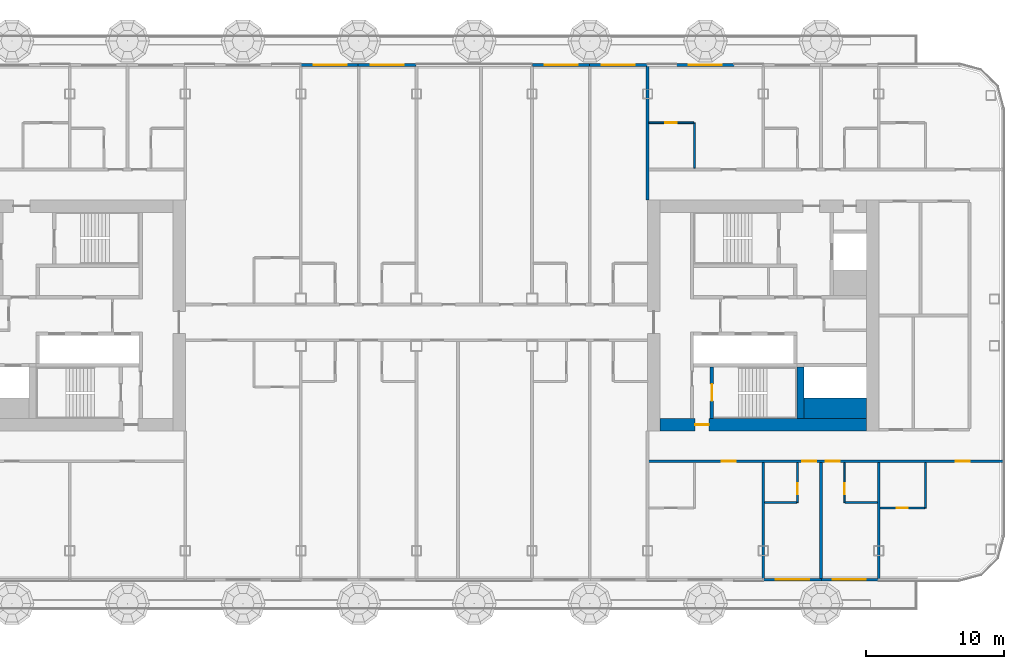
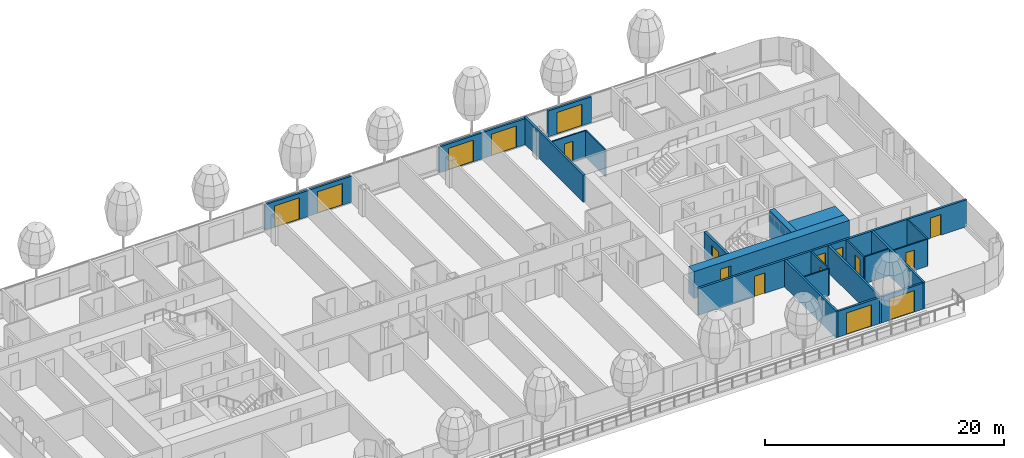
# One storey, part 14 of 30: 24 walls, 17 doors, 17 openings, 2 elements without a shape of their own.
"""IFC4 building model written with IfcOpenShell, lengths in metres."""

from ifc_helpers import new_model, si_unit, direction, frame, frame_2d, origin, place, context, subcontext, project, spatial, rectangle, extrude, material, layer, layer_set, type_object, element, fill, aggregate, save


model = new_model("IFC4")

# Units and contexts
model_context = context("Model", 3, precision=1e-05, world=origin(), true_north=direction((0.0, 1.0)))
body_context = subcontext(model_context, "Body", "Model", "MODEL_VIEW")
ifc_project = project(units=[si_unit("LENGTHUNIT", "METRE"), si_unit("AREAUNIT", "SQUARE_METRE"), si_unit("VOLUMEUNIT", "CUBIC_METRE"), si_unit("PLANEANGLEUNIT", "RADIAN"), si_unit("MASSUNIT", "GRAM", prefix="KILO")], contexts=[model_context])

# Site, building, storey
site_placement = place(None, origin())
site = spatial("IfcSite", under=ifc_project, at=site_placement, CompositionType="ELEMENT")
building_placement = place(site_placement, origin())
building = spatial("IfcBuilding", under=site, at=building_placement, Name="Hakoniwa Tower and Hamabe Station Hall", CompositionType="ELEMENT")
storey_placement = place(building_placement, frame((0.0, 0.0, 137.39990234375)))
storey = spatial("IfcBuildingStorey", under=building, at=storey_placement, Name="L38", CompositionType="ELEMENT", Elevation=137.39990234375)

# Wall, opening, door
ifc_material_1 = material(Name="Gypsum board partition", Category="gypsum")
ifc_layer_1 = layer(ifc_material_1, 0.125)
ifc_layer_set_1 = layer_set([ifc_layer_1], Name="Bathroom Partition 125")
wall_type_1 = type_object("IfcWallType", Name="Bathroom Partition 125", PredefinedType="PARTITIONING", material=ifc_layer_set_1)
wall_1_placement = place(storey_placement, frame((33.699951171875, -14.0, 0.0), z_axis=(0.0, 0.0, 1.0), x_axis=(1.0, 0.0, 0.0)))
wall_1 = element("IfcWall", 1, at=wall_1_placement, inside=storey, type_object=wall_type_1, Name="GW-L38-002", PredefinedType="PARTITIONING", context=body_context, shape_type="SweptSolid", body=[
    extrude(rectangle(XDim=3.237548828125, YDim=0.125, at=frame_2d((1.61865234375, 0.0))), origin(), (0.0, 0.0, 1.0), 2.75),
])
opening_1_placement = place(wall_1_placement, frame((1.199951171875, 0.0, 0.0)))
opening_1 = element("IfcOpeningElement", 2, at=opening_1_placement, cuts=wall_1, Name="Opening GD-G3C0-02", PredefinedType="OPENING", context=body_context, shape_type="SweptSolid", body=[
    extrude(rectangle(XDim=0.800048828125, YDim=2.10009765625, at=frame_2d((0.39990234375, 1.050048828125))), frame((0.0, 0.072509765625, 0.0), z_axis=(0.0, -1.0, 0.0), x_axis=(1.0, 0.0, 0.0)), (0.0, 0.0, 1.0), 0.14501953125),
])
ifc_material_2 = material(Name="Timber door leaf", Category="wood")
door_type_1 = type_object("IfcDoorType", Name="Bathroom Door 800", OperationType="SINGLE_SWING_LEFT", PredefinedType="DOOR", material=ifc_material_2)
door_1_placement = place(opening_1_placement, origin())
door_1 = element("IfcDoor", 3, at=door_1_placement, inside=storey, type_object=door_type_1, Name="Door GD-G3C0-02", OperationType="SINGLE_SWING_RIGHT", OverallHeight=2.10009765625, OverallWidth=0.800048828125, PredefinedType="DOOR", context=body_context, shape_type="SweptSolid", body=[
    extrude(rectangle(XDim=0.800048828125, YDim=2.10009765625, at=frame_2d((0.39990234375, 1.050048828125))), frame((0.0, 0.02490234375, 0.0), z_axis=(0.0, -1.0, 0.0), x_axis=(1.0, 0.0, 0.0)), (0.0, 0.0, 1.0), 0.050048828125),
])
fill(opening_1, door_1)

# Walls
for number, where, z_axis, x_axis, name in (
    (4, (25.300048828125, -13.60009765625, 0.0), (0.0, 0.0, 1.0), (1.0, 0.0, 0.0), "GW-L38-003"),
    (5, (31.16259765625, -13.60009765625, 0.0), (0.0, 0.0, 1.0), (1.0, 0.0, 0.0), "GW-L38-004"),
):
    element("IfcWall", number, at=place(storey_placement, frame(where, z_axis=z_axis, x_axis=x_axis)), inside=storey, type_object=wall_type_1, Name=name, PredefinedType="PARTITIONING", context=body_context, shape_type="SweptSolid", body=[
        extrude(rectangle(XDim=2.33740234375, YDim=0.125, at=frame_2d((1.168701171875, 0.0))), origin(), (0.0, 0.0, 1.0), 2.75),
    ])

# Wall, opening, door
wall_2_placement = place(storey_placement, frame((16.89990234375, 14.0, 0.0), z_axis=(0.0, 0.0, 1.0), x_axis=(1.0, 0.0, 0.0)))
wall_2 = element("IfcWall", 6, at=wall_2_placement, inside=storey, type_object=wall_type_1, Name="GW-L38-034", PredefinedType="PARTITIONING", context=body_context, shape_type="SweptSolid", body=[
    extrude(rectangle(XDim=3.237548828125, YDim=0.125, at=frame_2d((1.61865234375, 0.0))), origin(), (0.0, 0.0, 1.0), 2.75),
])
opening_2_placement = place(wall_2_placement, frame((1.199951171875, 0.0, 0.0)))
opening_2 = element("IfcOpeningElement", 7, at=opening_2_placement, cuts=wall_2, Name="Opening GD-G3C0-45", PredefinedType="OPENING", context=body_context, shape_type="SweptSolid", body=[
    extrude(rectangle(XDim=0.800048828125, YDim=2.10009765625, at=frame_2d((0.39990234375, 1.050048828125))), frame((0.0, 0.072509765625, 0.0), z_axis=(0.0, -1.0, 0.0), x_axis=(1.0, 0.0, 0.0)), (0.0, 0.0, 1.0), 0.14501953125),
])
door_2_placement = place(opening_2_placement, origin())
door_2 = element("IfcDoor", 8, at=door_2_placement, inside=storey, type_object=door_type_1, Name="Door GD-G3C0-45", OperationType="SINGLE_SWING_RIGHT", OverallHeight=2.10009765625, OverallWidth=0.800048828125, PredefinedType="DOOR", context=body_context, shape_type="SweptSolid", body=[
    extrude(rectangle(XDim=0.800048828125, YDim=2.10009765625, at=frame_2d((0.39990234375, 1.050048828125))), frame((0.0, 0.02490234375, 0.0), z_axis=(0.0, -1.0, 0.0), x_axis=(1.0, 0.0, 0.0)), (0.0, 0.0, 1.0), 0.050048828125),
])
fill(opening_2, door_2)

# Wall
wall_3_placement = place(storey_placement, frame((20.199951171875, 10.699951171875, 0.0), z_axis=(0.0, 0.0, 1.0), x_axis=(0.0, 1.0, 0.0)))
element("IfcWall", 9, at=wall_3_placement, inside=storey, type_object=wall_type_1, Name="GW-L38-078", PredefinedType="PARTITIONING", context=body_context, shape_type="SweptSolid", body=[
    extrude(rectangle(XDim=3.300048828125, YDim=0.125, at=frame_2d((1.64990234375, 0.0))), origin(), (0.0, 0.0, 1.0), 2.75),
])

# Wall, opening, door
wall_4_placement = place(storey_placement, frame((27.699951171875, -13.60009765625, 0.0), z_axis=(0.0, 0.0, 1.0), x_axis=(0.0, 1.0, 0.0)))
wall_4 = element("IfcWall", 10, at=wall_4_placement, inside=storey, type_object=wall_type_1, Name="GW-L38-081", PredefinedType="PARTITIONING", context=body_context, shape_type="SweptSolid", body=[
    extrude(rectangle(XDim=2.900146484375, YDim=0.125, at=frame_2d((1.4501953125, 0.0))), origin(), (0.0, 0.0, 1.0), 2.75),
])
opening_3_placement = place(wall_4_placement, frame((0.60009765625, 0.0, 0.0)))
opening_3 = element("IfcOpeningElement", 11, at=opening_3_placement, cuts=wall_4, Name="Opening GD-G3C0-59", PredefinedType="OPENING", context=body_context, shape_type="SweptSolid", body=[
    extrude(rectangle(XDim=0.800048828125, YDim=2.10009765625, at=frame_2d((0.39990234375, 1.050048828125))), frame((0.0, 0.072509765625, 0.0), z_axis=(0.0, -1.0, 0.0), x_axis=(1.0, 0.0, 0.0)), (0.0, 0.0, 1.0), 0.14501953125),
])
door_3_placement = place(opening_3_placement, origin())
door_3 = element("IfcDoor", 12, at=door_3_placement, inside=storey, type_object=door_type_1, Name="Door GD-G3C0-59", OperationType="SINGLE_SWING_RIGHT", OverallHeight=2.10009765625, OverallWidth=0.800048828125, PredefinedType="DOOR", context=body_context, shape_type="SweptSolid", body=[
    extrude(rectangle(XDim=0.800048828125, YDim=2.10009765625, at=frame_2d((0.39990234375, 1.050048828125))), frame((0.0, 0.02490234375, 0.0), z_axis=(0.0, -1.0, 0.0), x_axis=(1.0, 0.0, 0.0)), (0.0, 0.0, 1.0), 0.050048828125),
])
fill(opening_3, door_3)

wall_5_placement = place(storey_placement, frame((31.10009765625, -13.60009765625, 0.0), z_axis=(0.0, 0.0, 1.0), x_axis=(0.0, 1.0, 0.0)))
wall_5 = element("IfcWall", 13, at=wall_5_placement, inside=storey, type_object=wall_type_1, Name="GW-L38-085", PredefinedType="PARTITIONING", context=body_context, shape_type="SweptSolid", body=[
    extrude(rectangle(XDim=2.900146484375, YDim=0.125, at=frame_2d((1.4501953125, 0.0))), origin(), (0.0, 0.0, 1.0), 2.75),
])
opening_4_placement = place(wall_5_placement, frame((0.60009765625, 0.0, 0.0)))
opening_4 = element("IfcOpeningElement", 14, at=opening_4_placement, cuts=wall_5, Name="Opening GD-G3C0-61", PredefinedType="OPENING", context=body_context, shape_type="SweptSolid", body=[
    extrude(rectangle(XDim=0.800048828125, YDim=2.10009765625, at=frame_2d((0.39990234375, 1.050048828125))), frame((0.0, 0.072509765625, 0.0), z_axis=(0.0, -1.0, 0.0), x_axis=(1.0, 0.0, 0.0)), (0.0, 0.0, 1.0), 0.14501953125),
])
door_4_placement = place(opening_4_placement, origin())
door_4 = element("IfcDoor", 15, at=door_4_placement, inside=storey, type_object=door_type_1, Name="Door GD-G3C0-61", OperationType="SINGLE_SWING_LEFT", OverallHeight=2.10009765625, OverallWidth=0.800048828125, PredefinedType="DOOR", context=body_context, shape_type="SweptSolid", body=[
    extrude(rectangle(XDim=0.800048828125, YDim=2.10009765625, at=frame_2d((0.39990234375, 1.050048828125))), frame((0.0, 0.02490234375, 0.0), z_axis=(0.0, -1.0, 0.0), x_axis=(1.0, 0.0, 0.0)), (0.0, 0.0, 1.0), 0.050048828125),
])
fill(opening_4, door_4)

# Wall
wall_6_placement = place(storey_placement, frame((37.0, -14.0, 0.0), z_axis=(0.0, 0.0, 1.0), x_axis=(0.0, 1.0, 0.0)))
element("IfcWall", 16, at=wall_6_placement, inside=storey, type_object=wall_type_1, Name="GW-L38-091", PredefinedType="PARTITIONING", context=body_context, shape_type="SweptSolid", body=[
    extrude(rectangle(XDim=3.300048828125, YDim=0.125, at=frame_2d((1.64990234375, 0.0))), origin(), (0.0, 0.0, 1.0), 2.75),
])

# Wall, opening, door
ifc_material_3 = material(Name="Concrete C66", Category="concrete")
ifc_layer_2 = layer(ifc_material_3, 0.89990234375)
ifc_layer_set_2 = layer_set([ifc_layer_2], Name="CORE WALL 900 C66")
wall_type_2 = type_object("IfcWallType", Name="CORE WALL 900 C66", PredefinedType="SHEAR", material=ifc_layer_set_2)
wall_7_placement = place(storey_placement, frame((17.699951171875, -7.949951171875, 0.0), z_axis=(0.0, 0.0, 1.0), x_axis=(1.0, 0.0, 0.0)))
wall_7 = element("IfcWall", 17, at=wall_7_placement, inside=storey, type_object=wall_type_2, Name="Core wall SOUTH east", PredefinedType="SHEAR", context=body_context, shape_type="SweptSolid", body=[
    extrude(rectangle(XDim=15.0, YDim=0.89990234375, at=frame_2d((7.5, 0.0))), origin(), (0.0, 0.0, 1.0), 2.75),
])
opening_5_placement = place(wall_7_placement, frame((2.550048828125, 0.0, 0.0)))
opening_5 = element("IfcOpeningElement", 18, at=opening_5_placement, cuts=wall_7, Name="Opening CD-E-FS3-10", PredefinedType="OPENING", context=body_context, shape_type="SweptSolid", body=[
    extrude(rectangle(XDim=1.0, YDim=2.10009765625, at=frame_2d((0.5, 1.050048828125))), frame((0.0, 0.4599609375, 0.0), z_axis=(0.0, -1.0, 0.0), x_axis=(1.0, 0.0, 0.0)), (0.0, 0.0, 1.0), 0.919921875),
])
ifc_material_4 = material(Name="Steel fire door", Category="steel")
door_type_2 = type_object("IfcDoorType", Name="CORE DOOR 1000 FD60", OperationType="NOTDEFINED", PredefinedType="DOOR", material=ifc_material_4)
door_5_placement = place(opening_5_placement, origin())
door_5 = element("IfcDoor", 19, at=door_5_placement, inside=storey, type_object=door_type_2, Name="Stair vestibule door", OperationType="SINGLE_SWING_RIGHT", OverallHeight=2.10009765625, OverallWidth=1.0, PredefinedType="DOOR", context=body_context, shape_type="SweptSolid", body=[
    extrude(rectangle(XDim=1.0, YDim=2.10009765625, at=frame_2d((0.5, 1.050048828125))), frame((0.0, 0.02490234375, 0.0), z_axis=(0.0, -1.0, 0.0), x_axis=(1.0, 0.0, 0.0)), (0.0, 0.0, 1.0), 0.050048828125),
])
fill(opening_5, door_5)

# Wall
ifc_material_5 = material(Name="Concrete C66", Category="concrete")
ifc_layer_3 = layer(ifc_material_5, 1.5)
ifc_layer_set_3 = layer_set([ifc_layer_3], Name="CORE WEB WALL 1500 C66")
wall_type_3 = type_object("IfcWallType", Name="CORE WEB WALL 1500 C66", PredefinedType="SHEAR", material=ifc_layer_set_3)
wall_8_placement = place(storey_placement, frame((28.14990234375, -6.75, 0.0), z_axis=(0.0, 0.0, 1.0), x_axis=(1.0, 0.0, 0.0)))
element("IfcWall", 20, at=wall_8_placement, inside=storey, type_object=wall_type_3, Name="Core wall SER east", PredefinedType="SHEAR", context=body_context, shape_type="SweptSolid", body=[
    extrude(rectangle(XDim=4.550048828125, YDim=1.5, at=frame_2d((2.27490234375, 0.0))), origin(), (0.0, 0.0, 1.0), 2.75),
])

# Wall, opening, door
ifc_material_6 = material(Name="Concrete C66", Category="concrete")
ifc_layer_4 = layer(ifc_material_6, 0.25)
ifc_layer_set_4 = layer_set([ifc_layer_4], Name="CORE WEB WALL 250 C66")
wall_type_4 = type_object("IfcWallType", Name="CORE WEB WALL 250 C66", PredefinedType="SHEAR", material=ifc_layer_set_4)
wall_9_placement = place(storey_placement, frame((21.47509765625, -7.5, 0.0), z_axis=(0.0, 0.0, 1.0), x_axis=(0.0, 1.0, 0.0)))
wall_9 = element("IfcWall", 21, at=wall_9_placement, inside=storey, type_object=wall_type_4, Name="Core wall VE east", PredefinedType="SHEAR", context=body_context, shape_type="SweptSolid", body=[
    extrude(rectangle(XDim=3.75, YDim=0.25, at=frame_2d((1.875, 0.0))), origin(), (0.0, 0.0, 1.0), 2.75),
])
opening_6_placement = place(wall_9_placement, frame((1.300048828125, 0.0, 0.0)))
opening_6 = element("IfcOpeningElement", 22, at=opening_6_placement, cuts=wall_9, Name="Opening CD-E-SS-12", PredefinedType="OPENING", context=body_context, shape_type="SweptSolid", body=[
    extrude(rectangle(XDim=1.199951171875, YDim=2.10009765625, at=frame_2d((0.60009765625, 1.050048828125))), frame((0.0, 0.135009765625, 0.0), z_axis=(0.0, -1.0, 0.0), x_axis=(1.0, 0.0, 0.0)), (0.0, 0.0, 1.0), 0.27001953125),
])
ifc_material_7 = material(Name="Steel fire door", Category="steel")
door_type_3 = type_object("IfcDoorType", Name="CORE DOOR 1200 FD60", OperationType="DOUBLE_DOOR_SINGLE_SWING", PredefinedType="DOOR", material=ifc_material_7)
door_6_placement = place(opening_6_placement, origin())
door_6 = element("IfcDoor", 23, at=door_6_placement, inside=storey, type_object=door_type_3, Name="Escape stair door", OperationType="DOUBLE_DOOR_SINGLE_SWING", OverallHeight=2.10009765625, OverallWidth=1.199951171875, PredefinedType="DOOR", context=body_context, shape_type="SweptSolid", body=[
    extrude(rectangle(XDim=1.199951171875, YDim=2.10009765625, at=frame_2d((0.60009765625, 1.050048828125))), frame((0.0, 0.02490234375, 0.0), z_axis=(0.0, -1.0, 0.0), x_axis=(1.0, 0.0, 0.0)), (0.0, 0.0, 1.0), 0.050048828125),
])
fill(opening_6, door_6)

# Wall
ifc_material_8 = material(Name="Concrete C66", Category="concrete")
ifc_layer_5 = layer(ifc_material_8, 0.5)
ifc_layer_set_5 = layer_set([ifc_layer_5], Name="CORE WEB WALL 500 C66")
wall_type_5 = type_object("IfcWallType", Name="CORE WEB WALL 500 C66", PredefinedType="SHEAR", material=ifc_layer_set_5)
wall_10_placement = place(storey_placement, frame((27.89990234375, -7.5, 0.0), z_axis=(0.0, 0.0, 1.0), x_axis=(0.0, 1.0, 0.0)))
element("IfcWall", 24, at=wall_10_placement, inside=storey, type_object=wall_type_5, Name="Core wall SSE east", PredefinedType="SHEAR", context=body_context, shape_type="SweptSolid", body=[
    extrude(rectangle(XDim=3.75, YDim=0.5, at=frame_2d((1.875, 0.0))), origin(), (0.0, 0.0, 1.0), 2.75),
])

# Wall, openings, doors
ifc_material_9 = material(Name="Fire-rated gypsum board partition", Category="gypsum")
ifc_layer_6 = layer(ifc_material_9, 0.199951171875)
ifc_layer_set_6 = layer_set([ifc_layer_6], Name="Corridor Wall 200")
wall_type_6 = type_object("IfcWallType", Name="Corridor Wall 200", PredefinedType="PARTITIONING", material=ifc_layer_set_6)
wall_11_placement = place(storey_placement, frame((16.800048828125, -10.60009765625, 0.0), z_axis=(0.0, 0.0, 1.0), x_axis=(1.0, 0.0, 0.0)))
wall_11 = element("IfcWall", 25, at=wall_11_placement, inside=storey, type_object=wall_type_6, Name="GW-L38-006", PredefinedType="PARTITIONING", context=body_context, shape_type="SweptSolid", body=[
    extrude(rectangle(XDim=25.89990234375, YDim=0.199951171875, at=frame_2d((12.949951171875, 0.0))), origin(), (0.0, 0.0, 1.0), 2.75),
])
opening_7_placement = place(wall_11_placement, frame((5.39990234375, 0.0, 0.0)))
opening_7 = element("IfcOpeningElement", 26, at=opening_7_placement, cuts=wall_11, Name="Opening GD-G3C0-07", PredefinedType="OPENING", context=body_context, shape_type="SweptSolid", body=[
    extrude(rectangle(XDim=1.0, YDim=2.10009765625, at=frame_2d((0.5, 1.050048828125))), frame((0.0, 0.10986328125, 0.0), z_axis=(0.0, -1.0, 0.0), x_axis=(1.0, 0.0, 0.0)), (0.0, 0.0, 1.0), 0.219970703125),
])
opening_8_placement = place(wall_11_placement, frame((11.25, 0.0, 0.0)))
opening_8 = element("IfcOpeningElement", 27, at=opening_8_placement, cuts=wall_11, Name="Opening GD-G3C0-08", PredefinedType="OPENING", context=body_context, shape_type="SweptSolid", body=[
    extrude(rectangle(XDim=1.0, YDim=2.10009765625, at=frame_2d((0.5, 1.050048828125))), frame((0.0, 0.10986328125, 0.0), z_axis=(0.0, -1.0, 0.0), x_axis=(1.0, 0.0, 0.0)), (0.0, 0.0, 1.0), 0.219970703125),
])
opening_9_placement = place(wall_11_placement, frame((12.949951171875, 0.0, 0.0)))
opening_9 = element("IfcOpeningElement", 28, at=opening_9_placement, cuts=wall_11, Name="Opening GD-G3C0-09", PredefinedType="OPENING", context=body_context, shape_type="SweptSolid", body=[
    extrude(rectangle(XDim=1.0, YDim=2.10009765625, at=frame_2d((0.5, 1.050048828125))), frame((0.0, 0.10986328125, 0.0), z_axis=(0.0, -1.0, 0.0), x_axis=(1.0, 0.0, 0.0)), (0.0, 0.0, 1.0), 0.219970703125),
])
opening_10_placement = place(wall_11_placement, frame((22.39990234375, 0.0, 0.0)))
opening_10 = element("IfcOpeningElement", 29, at=opening_10_placement, cuts=wall_11, Name="Opening GD-G3C0-10", PredefinedType="OPENING", context=body_context, shape_type="SweptSolid", body=[
    extrude(rectangle(XDim=1.0, YDim=2.10009765625, at=frame_2d((0.5, 1.050048828125))), frame((0.0, 0.10986328125, 0.0), z_axis=(0.0, -1.0, 0.0), x_axis=(1.0, 0.0, 0.0)), (0.0, 0.0, 1.0), 0.219970703125),
])
ifc_material_10 = material(Name="Timber door leaf", Category="wood")
door_type_4 = type_object("IfcDoorType", Name="Guest Entrance Door 1000", OperationType="SINGLE_SWING_LEFT", PredefinedType="DOOR", material=ifc_material_10)
door_7_placement = place(opening_7_placement, origin())
door_7 = element("IfcDoor", 30, at=door_7_placement, inside=storey, type_object=door_type_4, Name="Door GD-G3C0-07", OperationType="SINGLE_SWING_RIGHT", OverallHeight=2.10009765625, OverallWidth=1.0, PredefinedType="DOOR", context=body_context, shape_type="SweptSolid", body=[
    extrude(rectangle(XDim=1.0, YDim=2.10009765625, at=frame_2d((0.5, 1.050048828125))), frame((0.0, 0.02490234375, 0.0), z_axis=(0.0, -1.0, 0.0), x_axis=(1.0, 0.0, 0.0)), (0.0, 0.0, 1.0), 0.050048828125),
])
fill(opening_7, door_7)
door_8_placement = place(opening_8_placement, origin())
door_8 = element("IfcDoor", 31, at=door_8_placement, inside=storey, type_object=door_type_4, Name="Door GD-G3C0-08", OperationType="SINGLE_SWING_LEFT", OverallHeight=2.10009765625, OverallWidth=1.0, PredefinedType="DOOR", context=body_context, shape_type="SweptSolid", body=[
    extrude(rectangle(XDim=1.0, YDim=2.10009765625, at=frame_2d((0.5, 1.050048828125))), frame((0.0, 0.02490234375, 0.0), z_axis=(0.0, -1.0, 0.0), x_axis=(1.0, 0.0, 0.0)), (0.0, 0.0, 1.0), 0.050048828125),
])
fill(opening_8, door_8)
door_9_placement = place(opening_9_placement, origin())
door_9 = element("IfcDoor", 32, at=door_9_placement, inside=storey, type_object=door_type_4, Name="Door GD-G3C0-09", OperationType="SINGLE_SWING_RIGHT", OverallHeight=2.10009765625, OverallWidth=1.0, PredefinedType="DOOR", context=body_context, shape_type="SweptSolid", body=[
    extrude(rectangle(XDim=1.0, YDim=2.10009765625, at=frame_2d((0.5, 1.050048828125))), frame((0.0, 0.02490234375, 0.0), z_axis=(0.0, -1.0, 0.0), x_axis=(1.0, 0.0, 0.0)), (0.0, 0.0, 1.0), 0.050048828125),
])
fill(opening_9, door_9)
door_10_placement = place(opening_10_placement, origin())
door_10 = element("IfcDoor", 33, at=door_10_placement, inside=storey, type_object=door_type_4, Name="Door GD-G3C0-10", OperationType="SINGLE_SWING_RIGHT", OverallHeight=2.10009765625, OverallWidth=1.0, PredefinedType="DOOR", context=body_context, shape_type="SweptSolid", body=[
    extrude(rectangle(XDim=1.0, YDim=2.10009765625, at=frame_2d((0.5, 1.050048828125))), frame((0.0, 0.02490234375, 0.0), z_axis=(0.0, -1.0, 0.0), x_axis=(1.0, 0.0, 0.0)), (0.0, 0.0, 1.0), 0.050048828125),
])
fill(opening_10, door_10)

# Curtain wall, walls, openings, doors
ifc_material_11 = material(Name="Dark low-e laminated glass", Category="glass")
ifc_layer_7 = layer(ifc_material_11, 0.199951171875)
ifc_layer_set_7 = layer_set([ifc_layer_7], Name="CW-1 UNITISED GUEST")
curtain_wall_type = type_object("IfcCurtainWallType", Name="CW-1 UNITISED GUEST", PredefinedType="NOTDEFINED", material=ifc_layer_set_7)
curtain_wall_1_placement = place(storey_placement, origin())
curtain_wall_1 = element("IfcCurtainWall", 34, at=curtain_wall_1_placement, inside=storey, type_object=curtain_wall_type, Name="CW-1 curtain wall", PredefinedType="NOTDEFINED")
ifc_material_12 = material(Name="Dark glass-faced aluminium panel", Category="aluminium")
ifc_layer_8 = layer(ifc_material_12, 0.199951171875)
ifc_layer_set_8 = layer_set([ifc_layer_8], Name="DOOR BAY WALL")
wall_type_7 = type_object("IfcWallType", Name="DOOR BAY WALL", PredefinedType="NOTDEFINED", material=ifc_layer_set_8)
wall_12_placement = place(storey_placement, frame((23.110107421875, 18.199951171875, 0.0), z_axis=(0.0, 0.0, 1.0), x_axis=(-1.0, 0.0, 0.0)))
wall_12 = element("IfcWall", 35, at=wall_12_placement, type_object=wall_type_7, Name="Door bay wall", PredefinedType="NOTDEFINED", context=body_context, shape_type="SweptSolid", body=[
    extrude(rectangle(XDim=4.22021484375, YDim=0.199951171875, at=frame_2d((2.110107421875, 0.0))), origin(), (0.0, 0.0, 1.0), 2.650146484375),
])
opening_11_placement = place(wall_12_placement, frame((0.909912109375, 0.0, 0.0)))
opening_11 = element("IfcOpeningElement", 36, at=opening_11_placement, cuts=wall_12, Name="Opening BD-N03-11", PredefinedType="OPENING", context=body_context, shape_type="SweptSolid", body=[
    extrude(rectangle(XDim=2.39990234375, YDim=2.199951171875, at=frame_2d((1.199951171875, 1.10009765625))), frame((0.0, 0.10986328125, 0.0), z_axis=(0.0, -1.0, 0.0), x_axis=(1.0, 0.0, 0.0)), (0.0, 0.0, 1.0), 0.219970703125),
])
ifc_material_13 = material(Name="Dark low-e laminated glass", Category="glass")
door_type_5 = type_object("IfcDoorType", Name="BALCONY SLIDING DOOR 2400X2200", OperationType="SLIDING_TO_LEFT", PredefinedType="DOOR", material=ifc_material_13)
door_11_placement = place(opening_11_placement, frame((2.39990234375, 0.0, 0.0), z_axis=(0.0, 0.0, 1.0), x_axis=(-1.0, 0.0, 0.0)))
door_11 = element("IfcDoor", 37, at=door_11_placement, inside=storey, type_object=door_type_5, Name="Balcony sliding door", OperationType="SLIDING_TO_LEFT", OverallHeight=2.199951171875, OverallWidth=2.39990234375, PredefinedType="DOOR", context=body_context, shape_type="SweptSolid", body=[
    extrude(rectangle(XDim=2.39990234375, YDim=2.199951171875, at=frame_2d((1.199951171875, 1.10009765625))), frame((0.0, 0.02490234375, 0.0), z_axis=(0.0, -1.0, 0.0), x_axis=(1.0, 0.0, 0.0)), (0.0, 0.0, 1.0), 0.050048828125),
])
fill(opening_11, door_11)
wall_13_placement = place(storey_placement, frame((16.780029296875, 18.199951171875, 0.0), z_axis=(0.0, 0.0, 1.0), x_axis=(-1.0, 0.0, 0.0)))
wall_13 = element("IfcWall", 38, at=wall_13_placement, type_object=wall_type_7, Name="Door bay wall", PredefinedType="NOTDEFINED", context=body_context, shape_type="SweptSolid", body=[
    extrude(rectangle(XDim=4.219970703125, YDim=0.199951171875, at=frame_2d((2.10986328125, 0.0))), origin(), (0.0, 0.0, 1.0), 2.650146484375),
])
opening_12_placement = place(wall_13_placement, frame((0.909912109375, 0.0, 0.0)))
opening_12 = element("IfcOpeningElement", 39, at=opening_12_placement, cuts=wall_13, Name="Opening BD-N03-5", PredefinedType="OPENING", context=body_context, shape_type="SweptSolid", body=[
    extrude(rectangle(XDim=2.39990234375, YDim=2.199951171875, at=frame_2d((1.199951171875, 1.10009765625))), frame((0.0, 0.10986328125, 0.0), z_axis=(0.0, -1.0, 0.0), x_axis=(1.0, 0.0, 0.0)), (0.0, 0.0, 1.0), 0.219970703125),
])
door_12_placement = place(opening_12_placement, frame((2.39990234375, 0.0, 0.0), z_axis=(0.0, 0.0, 1.0), x_axis=(-1.0, 0.0, 0.0)))
door_12 = element("IfcDoor", 40, at=door_12_placement, inside=storey, type_object=door_type_5, Name="Balcony sliding door", OperationType="SLIDING_TO_LEFT", OverallHeight=2.199951171875, OverallWidth=2.39990234375, PredefinedType="DOOR", context=body_context, shape_type="SweptSolid", body=[
    extrude(rectangle(XDim=2.39990234375, YDim=2.199951171875, at=frame_2d((1.199951171875, 1.10009765625))), frame((0.0, 0.02490234375, 0.0), z_axis=(0.0, -1.0, 0.0), x_axis=(1.0, 0.0, 0.0)), (0.0, 0.0, 1.0), 0.050048828125),
])
fill(opening_12, door_12)
wall_14_placement = place(storey_placement, frame((12.639892578125, 18.199951171875, 0.0), z_axis=(0.0, 0.0, 1.0), x_axis=(-1.0, 0.0, 0.0)))
wall_14 = element("IfcWall", 41, at=wall_14_placement, type_object=wall_type_7, Name="Door bay wall", PredefinedType="NOTDEFINED", context=body_context, shape_type="SweptSolid", body=[
    extrude(rectangle(XDim=4.219970703125, YDim=0.199951171875, at=frame_2d((2.10986328125, 0.0))), origin(), (0.0, 0.0, 1.0), 2.650146484375),
])
opening_13_placement = place(wall_14_placement, frame((0.909912109375, 0.0, 0.0)))
opening_13 = element("IfcOpeningElement", 42, at=opening_13_placement, cuts=wall_14, Name="Opening BD-N03-4", PredefinedType="OPENING", context=body_context, shape_type="SweptSolid", body=[
    extrude(rectangle(XDim=2.39990234375, YDim=2.199951171875, at=frame_2d((1.199951171875, 1.10009765625))), frame((0.0, 0.10986328125, 0.0), z_axis=(0.0, -1.0, 0.0), x_axis=(1.0, 0.0, 0.0)), (0.0, 0.0, 1.0), 0.219970703125),
])
door_13_placement = place(opening_13_placement, frame((2.39990234375, 0.0, 0.0), z_axis=(0.0, 0.0, 1.0), x_axis=(-1.0, 0.0, 0.0)))
door_13 = element("IfcDoor", 43, at=door_13_placement, inside=storey, type_object=door_type_5, Name="Balcony sliding door", OperationType="SLIDING_TO_LEFT", OverallHeight=2.199951171875, OverallWidth=2.39990234375, PredefinedType="DOOR", context=body_context, shape_type="SweptSolid", body=[
    extrude(rectangle(XDim=2.39990234375, YDim=2.199951171875, at=frame_2d((1.199951171875, 1.10009765625))), frame((0.0, 0.02490234375, 0.0), z_axis=(0.0, -1.0, 0.0), x_axis=(1.0, 0.0, 0.0)), (0.0, 0.0, 1.0), 0.050048828125),
])
fill(opening_13, door_13)
wall_15_placement = place(storey_placement, frame((-0.02001953125, 18.199951171875, 0.0), z_axis=(0.0, 0.0, 1.0), x_axis=(-1.0, 0.0, 0.0)))
wall_15 = element("IfcWall", 44, at=wall_15_placement, type_object=wall_type_7, Name="Door bay wall", PredefinedType="NOTDEFINED", context=body_context, shape_type="SweptSolid", body=[
    extrude(rectangle(XDim=4.219970703125, YDim=0.199951171875, at=frame_2d((2.10986328125, 0.0))), origin(), (0.0, 0.0, 1.0), 2.650146484375),
])
opening_14_placement = place(wall_15_placement, frame((0.909912109375, 0.0, 0.0)))
opening_14 = element("IfcOpeningElement", 45, at=opening_14_placement, cuts=wall_15, Name="Opening BD-N03-3", PredefinedType="OPENING", context=body_context, shape_type="SweptSolid", body=[
    extrude(rectangle(XDim=2.39990234375, YDim=2.199951171875, at=frame_2d((1.199951171875, 1.10009765625))), frame((0.0, 0.10986328125, 0.0), z_axis=(0.0, -1.0, 0.0), x_axis=(1.0, 0.0, 0.0)), (0.0, 0.0, 1.0), 0.219970703125),
])
door_14_placement = place(opening_14_placement, frame((2.39990234375, 0.0, 0.0), z_axis=(0.0, 0.0, 1.0), x_axis=(-1.0, 0.0, 0.0)))
door_14 = element("IfcDoor", 46, at=door_14_placement, inside=storey, type_object=door_type_5, Name="Balcony sliding door", OperationType="SLIDING_TO_LEFT", OverallHeight=2.199951171875, OverallWidth=2.39990234375, PredefinedType="DOOR", context=body_context, shape_type="SweptSolid", body=[
    extrude(rectangle(XDim=2.39990234375, YDim=2.199951171875, at=frame_2d((1.199951171875, 1.10009765625))), frame((0.0, 0.02490234375, 0.0), z_axis=(0.0, -1.0, 0.0), x_axis=(1.0, 0.0, 0.0)), (0.0, 0.0, 1.0), 0.050048828125),
])
fill(opening_14, door_14)
wall_16_placement = place(storey_placement, frame((-4.159912109375, 18.199951171875, 0.0), z_axis=(0.0, 0.0, 1.0), x_axis=(-1.0, 0.0, 0.0)))
wall_16 = element("IfcWall", 47, at=wall_16_placement, type_object=wall_type_7, Name="Door bay wall", PredefinedType="NOTDEFINED", context=body_context, shape_type="SweptSolid", body=[
    extrude(rectangle(XDim=4.219970703125, YDim=0.199951171875, at=frame_2d((2.10986328125, 0.0))), origin(), (0.0, 0.0, 1.0), 2.650146484375),
])
opening_15_placement = place(wall_16_placement, frame((0.909912109375, 0.0, 0.0)))
opening_15 = element("IfcOpeningElement", 48, at=opening_15_placement, cuts=wall_16, Name="Opening BD-N03-2", PredefinedType="OPENING", context=body_context, shape_type="SweptSolid", body=[
    extrude(rectangle(XDim=2.39990234375, YDim=2.199951171875, at=frame_2d((1.199951171875, 1.10009765625))), frame((0.0, 0.10986328125, 0.0), z_axis=(0.0, -1.0, 0.0), x_axis=(1.0, 0.0, 0.0)), (0.0, 0.0, 1.0), 0.219970703125),
])
door_15_placement = place(opening_15_placement, frame((2.39990234375, 0.0, 0.0), z_axis=(0.0, 0.0, 1.0), x_axis=(-1.0, 0.0, 0.0)))
door_15 = element("IfcDoor", 49, at=door_15_placement, inside=storey, type_object=door_type_5, Name="Balcony sliding door", OperationType="SLIDING_TO_LEFT", OverallHeight=2.199951171875, OverallWidth=2.39990234375, PredefinedType="DOOR", context=body_context, shape_type="SweptSolid", body=[
    extrude(rectangle(XDim=2.39990234375, YDim=2.199951171875, at=frame_2d((1.199951171875, 1.10009765625))), frame((0.0, 0.02490234375, 0.0), z_axis=(0.0, -1.0, 0.0), x_axis=(1.0, 0.0, 0.0)), (0.0, 0.0, 1.0), 0.050048828125),
])
fill(opening_15, door_15)
aggregate(curtain_wall_1, [wall_12, wall_13, wall_14, wall_15, wall_16])

curtain_wall_2_placement = place(storey_placement, origin())
curtain_wall_2 = element("IfcCurtainWall", 50, at=curtain_wall_2_placement, inside=storey, type_object=curtain_wall_type, Name="CW-1 curtain wall", PredefinedType="NOTDEFINED")
wall_17_placement = place(storey_placement, frame((25.219970703125, -19.199951171875, 0.0), z_axis=(0.0, 0.0, 1.0), x_axis=(1.0, 0.0, 0.0)))
wall_17 = element("IfcWall", 51, at=wall_17_placement, type_object=wall_type_7, Name="Door bay wall", PredefinedType="NOTDEFINED", context=body_context, shape_type="SweptSolid", body=[
    extrude(rectangle(XDim=4.219970703125, YDim=0.199951171875, at=frame_2d((2.10986328125, 0.0))), origin(), (0.0, 0.0, 1.0), 2.650146484375),
])
opening_16_placement = place(wall_17_placement, frame((0.909912109375, 0.0, 0.0)))
opening_16 = element("IfcOpeningElement", 52, at=opening_16_placement, cuts=wall_17, Name="Opening BD-S07-15", PredefinedType="OPENING", context=body_context, shape_type="SweptSolid", body=[
    extrude(rectangle(XDim=2.39990234375, YDim=2.199951171875, at=frame_2d((1.199951171875, 1.10009765625))), frame((0.0, 0.10986328125, 0.0), z_axis=(0.0, -1.0, 0.0), x_axis=(1.0, 0.0, 0.0)), (0.0, 0.0, 1.0), 0.219970703125),
])
door_16_placement = place(opening_16_placement, frame((2.39990234375, 0.0, 0.0), z_axis=(0.0, 0.0, 1.0), x_axis=(-1.0, 0.0, 0.0)))
door_16 = element("IfcDoor", 53, at=door_16_placement, inside=storey, type_object=door_type_5, Name="Balcony sliding door", OperationType="SLIDING_TO_LEFT", OverallHeight=2.199951171875, OverallWidth=2.39990234375, PredefinedType="DOOR", context=body_context, shape_type="SweptSolid", body=[
    extrude(rectangle(XDim=2.39990234375, YDim=2.199951171875, at=frame_2d((1.199951171875, 1.10009765625))), frame((0.0, 0.02490234375, 0.0), z_axis=(0.0, -1.0, 0.0), x_axis=(1.0, 0.0, 0.0)), (0.0, 0.0, 1.0), 0.050048828125),
])
fill(opening_16, door_16)
wall_18_placement = place(storey_placement, frame((29.360107421875, -19.199951171875, 0.0), z_axis=(0.0, 0.0, 1.0), x_axis=(1.0, 0.0, 0.0)))
wall_18 = element("IfcWall", 54, at=wall_18_placement, type_object=wall_type_7, Name="Door bay wall", PredefinedType="NOTDEFINED", context=body_context, shape_type="SweptSolid", body=[
    extrude(rectangle(XDim=4.219970703125, YDim=0.199951171875, at=frame_2d((2.10986328125, 0.0))), origin(), (0.0, 0.0, 1.0), 2.650146484375),
])
opening_17_placement = place(wall_18_placement, frame((0.909912109375, 0.0, 0.0)))
opening_17 = element("IfcOpeningElement", 55, at=opening_17_placement, cuts=wall_18, Name="Opening BD-S07-16", PredefinedType="OPENING", context=body_context, shape_type="SweptSolid", body=[
    extrude(rectangle(XDim=2.39990234375, YDim=2.199951171875, at=frame_2d((1.199951171875, 1.10009765625))), frame((0.0, 0.10986328125, 0.0), z_axis=(0.0, -1.0, 0.0), x_axis=(1.0, 0.0, 0.0)), (0.0, 0.0, 1.0), 0.219970703125),
])
door_17_placement = place(opening_17_placement, frame((2.39990234375, 0.0, 0.0), z_axis=(0.0, 0.0, 1.0), x_axis=(-1.0, 0.0, 0.0)))
door_17 = element("IfcDoor", 56, at=door_17_placement, inside=storey, type_object=door_type_5, Name="Balcony sliding door", OperationType="SLIDING_TO_LEFT", OverallHeight=2.199951171875, OverallWidth=2.39990234375, PredefinedType="DOOR", context=body_context, shape_type="SweptSolid", body=[
    extrude(rectangle(XDim=2.39990234375, YDim=2.199951171875, at=frame_2d((1.199951171875, 1.10009765625))), frame((0.0, 0.02490234375, 0.0), z_axis=(0.0, -1.0, 0.0), x_axis=(1.0, 0.0, 0.0)), (0.0, 0.0, 1.0), 0.050048828125),
])
fill(opening_17, door_17)
aggregate(curtain_wall_2, [wall_17, wall_18])

# Walls
ifc_material_14 = material(Name="Fire-rated gypsum board partition", Category="gypsum")
ifc_layer_9 = layer(ifc_material_14, 0.199951171875)
ifc_layer_set_9 = layer_set([ifc_layer_9], Name="Party Wall 200")
wall_type_8 = type_object("IfcWallType", Name="Party Wall 200", PredefinedType="PARTITIONING", material=ifc_layer_set_9)
wall_19_placement = place(storey_placement, frame((16.800048828125, 8.389892578125, 0.0), z_axis=(0.0, 0.0, 1.0), x_axis=(0.0, 1.0, 0.0)))
element("IfcWall", 57, at=wall_19_placement, inside=storey, type_object=wall_type_8, Name="GW-L38-076", PredefinedType="PARTITIONING", context=body_context, shape_type="SweptSolid", body=[
    extrude(rectangle(XDim=9.91015625, YDim=0.199951171875, at=frame_2d((4.955078125, 0.0))), origin(), (0.0, 0.0, 1.0), 2.75),
])
for number, where, z_axis, x_axis, name in (
    (58, (25.199951171875, -19.300048828125, 0.0), (0.0, 0.0, 1.0), (0.0, 1.0, 0.0), "GW-L38-079"),
    (59, (29.39990234375, -19.300048828125, 0.0), (0.0, 0.0, 1.0), (0.0, 1.0, 0.0), "GW-L38-083"),
    (60, (33.60009765625, -19.300048828125, 0.0), (0.0, 0.0, 1.0), (0.0, 1.0, 0.0), "GW-L38-087"),
):
    element("IfcWall", number, at=place(storey_placement, frame(where, z_axis=z_axis, x_axis=x_axis)), inside=storey, type_object=wall_type_8, Name=name, PredefinedType="PARTITIONING", context=body_context, shape_type="SweptSolid", body=[
        extrude(rectangle(XDim=8.60009765625, YDim=0.199951171875, at=frame_2d((4.300048828125, 0.0))), origin(), (0.0, 0.0, 1.0), 2.75),
    ])

save(model, "model.ifc")
